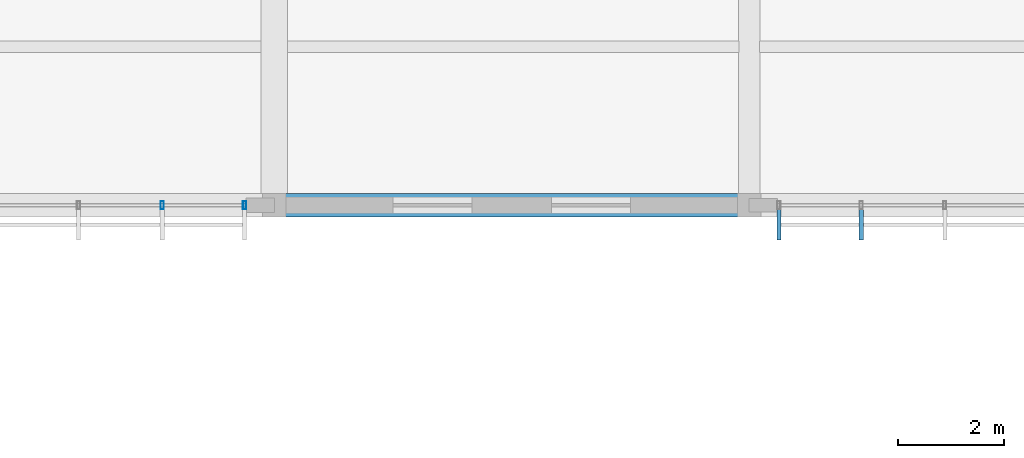
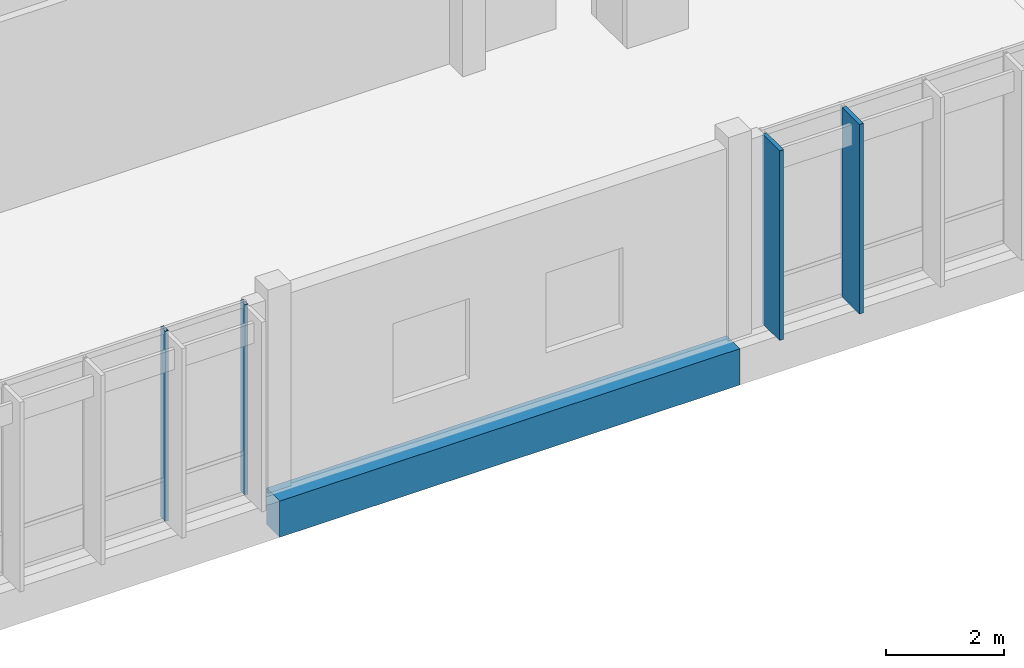
# One storey, part 45 of 94: 4 members, 1 beam, 2 elements without a shape of their own.
"""IFC4 building model written with IfcOpenShell, lengths in metres."""

from ifc_helpers import new_model, si_unit, direction, frame, origin, origin_2d, place, context, subcontext, project, spatial, rectangle, hollow_rectangle, extrude, material, material_profile, profile_set, type_object, element, aggregate, save


model = new_model("IFC4")

# Units and contexts
model_context = context("Model", 3, precision=1e-05, world=origin(), true_north=direction((0.0, 1.0)))
body_context = subcontext(model_context, "Body", "Model", "MODEL_VIEW")
ifc_project = project(units=[si_unit("LENGTHUNIT", "METRE"), si_unit("AREAUNIT", "SQUARE_METRE"), si_unit("VOLUMEUNIT", "CUBIC_METRE"), si_unit("PLANEANGLEUNIT", "RADIAN"), si_unit("MASSUNIT", "GRAM", prefix="KILO")], contexts=[model_context])

# Site, building, storey
site_placement = place(None, origin())
site = spatial("IfcSite", under=ifc_project, at=site_placement, CompositionType="ELEMENT")
building_placement = place(site_placement, origin())
building = spatial("IfcBuilding", under=site, at=building_placement, Name="Chiffa Square Polytechnic", CompositionType="ELEMENT")
storey_placement = place(building_placement, frame((0.0, 0.0, 18.0)))
storey = spatial("IfcBuildingStorey", under=building, at=storey_placement, Name="L04", CompositionType="ELEMENT", Elevation=18.0)

# Beam
ifc_material_1 = material(Name="Concrete C35/45", Category="concrete")
ifc_material_profile_1 = material_profile(ifc_material_1, rectangle(XDim=0.449951171875, YDim=0.75, at=origin_2d()), Name="RC 450x750")
ifc_profile_set_1 = profile_set([ifc_material_profile_1], Name="Concrete C35/45")
beam_type = type_object("IfcBeamType", Name="BM-RC-450X750", PredefinedType="BEAM", material=ifc_profile_set_1)
beam_placement = place(storey_placement, frame((66.60009765625, 103.800048828125, -0.614990234375), z_axis=(1.0, 0.0, 0.0), x_axis=(0.0, 1.0, 0.0)))
element("IfcBeam", 1, at=beam_placement, inside=storey, type_object=beam_type, Name="Primary floor girder BM-V5-L04-X-0666-1038", PredefinedType="BEAM", context=body_context, shape_type="SweptSolid", body=[
    extrude(rectangle(XDim=0.449951171875, YDim=0.75, at=origin_2d()), origin(), (0.0, 0.0, 1.0), 9.0),
])

# Curtain wall, members
ifc_material_2 = material(Name="Aluminium EN AW-6060 T66 and glulam shading", Category="wood")
curtain_wall_type_1 = type_object("IfcCurtainWallType", Name="CW-VERT-600X440", PredefinedType="USERDEFINED", material=ifc_material_2)
curtain_wall_1_placement = place(storey_placement, origin())
curtain_wall_1 = element("IfcCurtainWall", 2, at=curtain_wall_1_placement, inside=storey, type_object=curtain_wall_type_1, Name="Curtain wall CW-V5-L04-241", ObjectType="CURTAIN WALL", PredefinedType="USERDEFINED")
ifc_material_3 = material(Name="Aluminium EN AW-6060 T66", Category="aluminium")
ifc_material_profile_2 = material_profile(ifc_material_3, hollow_rectangle(XDim=0.06005859375, YDim=0.159912109375, WallThickness=0.00390625, at=origin_2d()), Name="ALU 60x160x4")
ifc_profile_set_2 = profile_set([ifc_material_profile_2], Name="Aluminium EN AW-6060 T66")
member_type_1 = type_object("IfcMemberType", Name="CWM-ALU-65X150", PredefinedType="MULLION", material=ifc_profile_set_2)
member_1_placement = place(storey_placement, frame((64.47607421875, 103.800048828125, 0.0), z_axis=(0.0, 0.0, 1.0), x_axis=(1.0, 0.0, 0.0)))
member_1 = element("IfcMember", 3, at=member_1_placement, type_object=member_type_1, Name="Curtain wall mullion CW-V5-L04-241-M04", PredefinedType="MULLION", context=body_context, shape_type="SweptSolid", body=[
    extrude(hollow_rectangle(XDim=0.06005859375, YDim=0.159912109375, WallThickness=0.00390625, at=origin_2d()), origin(), (0.0, 0.0, 1.0), 3.93994140625),
])
member_2_placement = place(storey_placement, frame((66.034912109375, 103.800048828125, 0.0), z_axis=(0.0, 0.0, 1.0), x_axis=(1.0, 0.0, 0.0)))
member_2 = element("IfcMember", 4, at=member_2_placement, type_object=member_type_1, Name="Curtain wall mullion CW-V5-L04-241-M05", PredefinedType="MULLION", context=body_context, shape_type="SweptSolid", body=[
    extrude(hollow_rectangle(XDim=0.06005859375, YDim=0.159912109375, WallThickness=0.00390625, at=origin_2d()), origin(), (0.0, 0.0, 1.0), 3.93994140625),
])
aggregate(curtain_wall_1, [member_1, member_2])

curtain_wall_type_2 = type_object("IfcCurtainWallType", Name="CW-VERT-450X380", PredefinedType="USERDEFINED", material=ifc_material_2)
curtain_wall_2_placement = place(storey_placement, origin())
curtain_wall_2 = element("IfcCurtainWall", 5, at=curtain_wall_2_placement, inside=storey, type_object=curtain_wall_type_2, Name="Curtain wall CW-V5-L04-242", ObjectType="CURTAIN WALL", PredefinedType="USERDEFINED")
ifc_material_4 = material(Name="Glulam GL28h", Category="wood")
ifc_material_profile_3 = material_profile(ifc_material_4, rectangle(XDim=0.080078125, YDim=0.580078125, at=origin_2d()), Name="GL28h 80x580")
ifc_profile_set_3 = profile_set([ifc_material_profile_3], Name="Glulam GL28h")
member_type_2 = type_object("IfcMemberType", Name="CWM-GL-80X580", PredefinedType="MULLION", material=ifc_profile_set_3)
member_3_placement = place(storey_placement, frame((76.1650390625, 103.427978515625, 0.010009765625), z_axis=(0.0, 0.0, 1.0), x_axis=(1.0, 0.0, 0.0)))
member_3 = element("IfcMember", 6, at=member_3_placement, type_object=member_type_2, Name="Exterior glulam solar fin CW-V5-L04-242-FN00", PredefinedType="MULLION", context=body_context, shape_type="SweptSolid", body=[
    extrude(rectangle(XDim=0.080078125, YDim=0.580078125, at=origin_2d()), origin(), (0.0, 0.0, 1.0), 3.919921875),
])
member_4_placement = place(storey_placement, frame((77.72412109375, 103.427978515625, 0.010009765625), z_axis=(0.0, 0.0, 1.0), x_axis=(1.0, 0.0, 0.0)))
member_4 = element("IfcMember", 7, at=member_4_placement, type_object=member_type_2, Name="Exterior glulam solar fin CW-V5-L04-242-FN01", PredefinedType="MULLION", context=body_context, shape_type="SweptSolid", body=[
    extrude(rectangle(XDim=0.080078125, YDim=0.580078125, at=origin_2d()), origin(), (0.0, 0.0, 1.0), 3.919921875),
])
aggregate(curtain_wall_2, [member_3, member_4])

save(model, "model.ifc")
